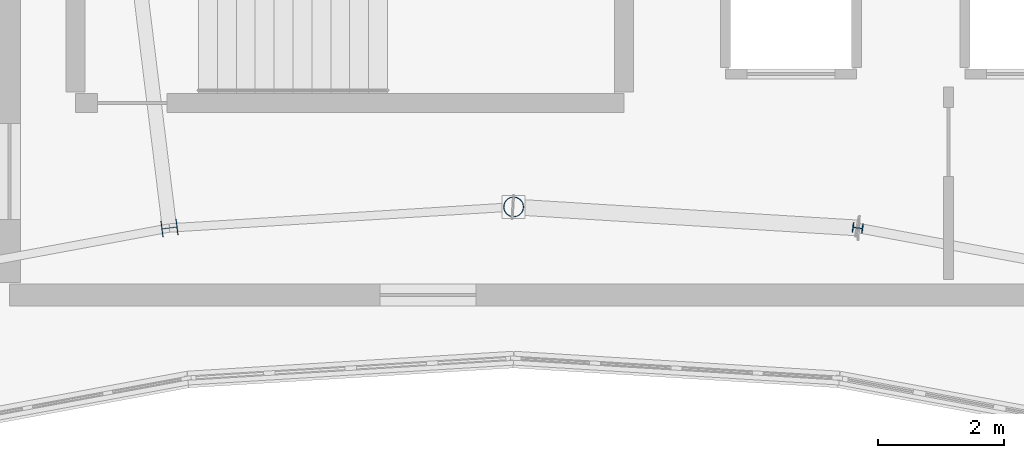
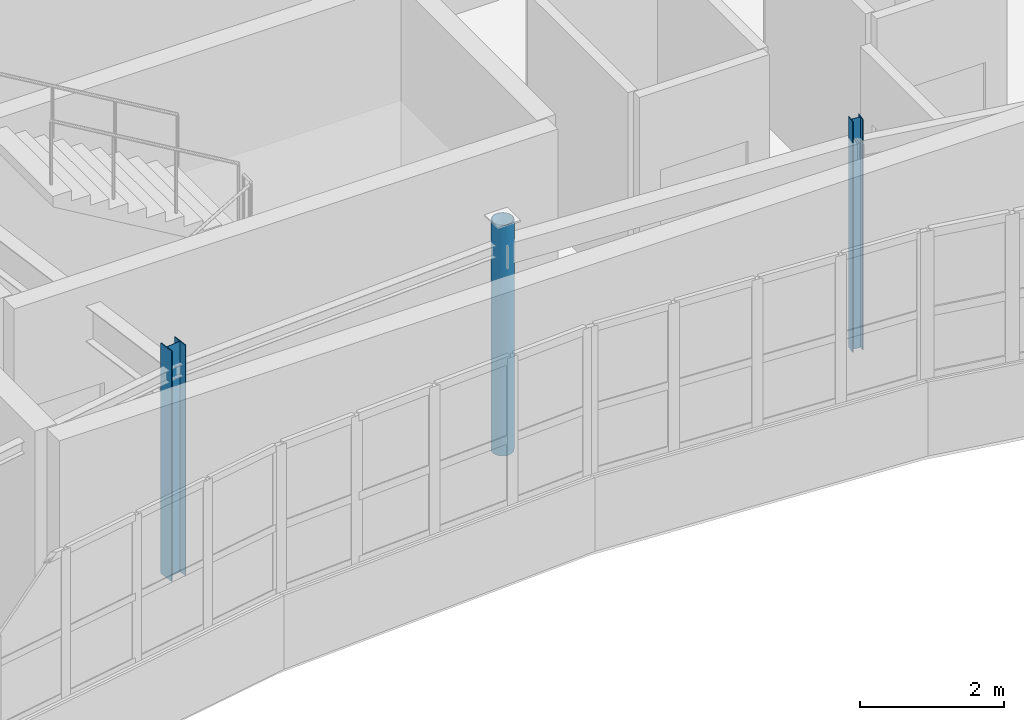
# One storey, part 10 of 60: 3 columns.
"""IFC4 building model written with IfcOpenShell, lengths in metres."""

from ifc_helpers import new_model, si_unit, direction, frame, origin, origin_2d, place, context, subcontext, project, spatial, hollow_circle, i_section, extrude, material, material_profile, profile_set, type_object, element, save


model = new_model("IFC4")

# Units and contexts
model_context = context("Model", 3, precision=1e-05, world=origin(), true_north=direction((0.0, 1.0)))
body_context = subcontext(model_context, "Body", "Model", "MODEL_VIEW")
ifc_project = project(units=[si_unit("LENGTHUNIT", "METRE"), si_unit("AREAUNIT", "SQUARE_METRE"), si_unit("VOLUMEUNIT", "CUBIC_METRE"), si_unit("PLANEANGLEUNIT", "RADIAN"), si_unit("MASSUNIT", "GRAM", prefix="KILO")], contexts=[model_context])

# Site, building, storey
site_placement = place(None, origin())
site = spatial("IfcSite", under=ifc_project, at=site_placement, CompositionType="ELEMENT")
building_placement = place(site_placement, origin())
building = spatial("IfcBuilding", under=site, at=building_placement, Name="Tarnwether General Hospital", CompositionType="ELEMENT")
storey_placement = place(building_placement, frame((0.0, 0.0, 26.10009765625)))
storey = spatial("IfcBuildingStorey", under=building, at=storey_placement, Name="L06", CompositionType="ELEMENT", Elevation=26.10009765625)

# Columns
ifc_material_1 = material(Name="Steel Grade 350 (350 MPa)", Category="steel")
ifc_material_profile_1 = material_profile(ifc_material_1, i_section(OverallWidth=0.25390625, OverallDepth=0.25390625, WebThickness=0.008544921875, FlangeThickness=0.01416015625, at=origin_2d()), Name="250UC72.9")
ifc_profile_set_1 = profile_set([ifc_material_profile_1], Name="Steel Grade 350 (350 MPa)")
column_type_1 = type_object("IfcColumnType", Name="COL-24", PredefinedType="COLUMN", material=ifc_profile_set_1)
column_1_placement = place(storey_placement, frame((86.5400390625, 107.466064453125, 0.0), z_axis=(0.0, 0.0, 1.0), x_axis=(-0.121869343405, 0.992546151641, 0.0)))
element("IfcColumn", 1, at=column_1_placement, inside=storey, type_object=column_type_1, Name="Column COLG-L06-8654_10747", PredefinedType="COLUMN", context=body_context, shape_type="SweptSolid", body=[
    extrude(i_section(OverallWidth=0.25390625, OverallDepth=0.25390625, WebThickness=0.008544921875, FlangeThickness=0.01416015625, at=origin_2d()), origin(), (0.0, 0.0, 1.0), 3.89990234375),
])
ifc_material_2 = material(Name="Steel Grade C350L0 (350 MPa)", Category="steel")
ifc_material_profile_2 = material_profile(ifc_material_2, hollow_circle(Radius=0.161865234375, WallThickness=0.0126953125, at=origin_2d()), Name="CHS323.9x12.7")
ifc_profile_set_2 = profile_set([ifc_material_profile_2], Name="Steel Grade C350L0 (350 MPa)")
column_type_2 = type_object("IfcColumnType", Name="COL-26", PredefinedType="COLUMN", material=ifc_profile_set_2)
column_2_placement = place(storey_placement, frame((92.0, 107.800048828125, 0.0), z_axis=(0.0, 0.0, 1.0), x_axis=(0.0, 1.0, 0.0)))
element("IfcColumn", 2, at=column_2_placement, inside=storey, type_object=column_type_2, Name="Column COLG-L06-9200_10780", PredefinedType="COLUMN", context=body_context, shape_type="SweptSolid", body=[
    extrude(hollow_circle(Radius=0.161865234375, WallThickness=0.0126953125, at=origin_2d()), origin(), (0.0, 0.0, 1.0), 3.89990234375),
])
ifc_material_3 = material(Name="Steel Grade 350 (350 MPa)", Category="steel")
ifc_material_profile_3 = material_profile(ifc_material_3, i_section(OverallWidth=0.154052734375, OverallDepth=0.162109375, WebThickness=0.008056640625, FlangeThickness=0.011474609375, at=origin_2d()), Name="150UC37.2")
ifc_profile_set_3 = profile_set([ifc_material_profile_3], Name="Steel Grade 350 (350 MPa)")
column_type_3 = type_object("IfcColumnType", Name="COL-28", PredefinedType="COLUMN", material=ifc_profile_set_3)
column_3_placement = place(storey_placement, frame((97.4599609375, 107.466064453125, 0.0), z_axis=(0.0, 0.0, 1.0), x_axis=(0.121869343405, 0.992546151641, 0.0)))
element("IfcColumn", 3, at=column_3_placement, inside=storey, type_object=column_type_3, Name="Column COLG-L06-9746_10747", PredefinedType="COLUMN", context=body_context, shape_type="SweptSolid", body=[
    extrude(i_section(OverallWidth=0.154052734375, OverallDepth=0.162109375, WebThickness=0.008056640625, FlangeThickness=0.011474609375, at=origin_2d()), origin(), (0.0, 0.0, 1.0), 3.89990234375),
])

save(model, "model.ifc")
